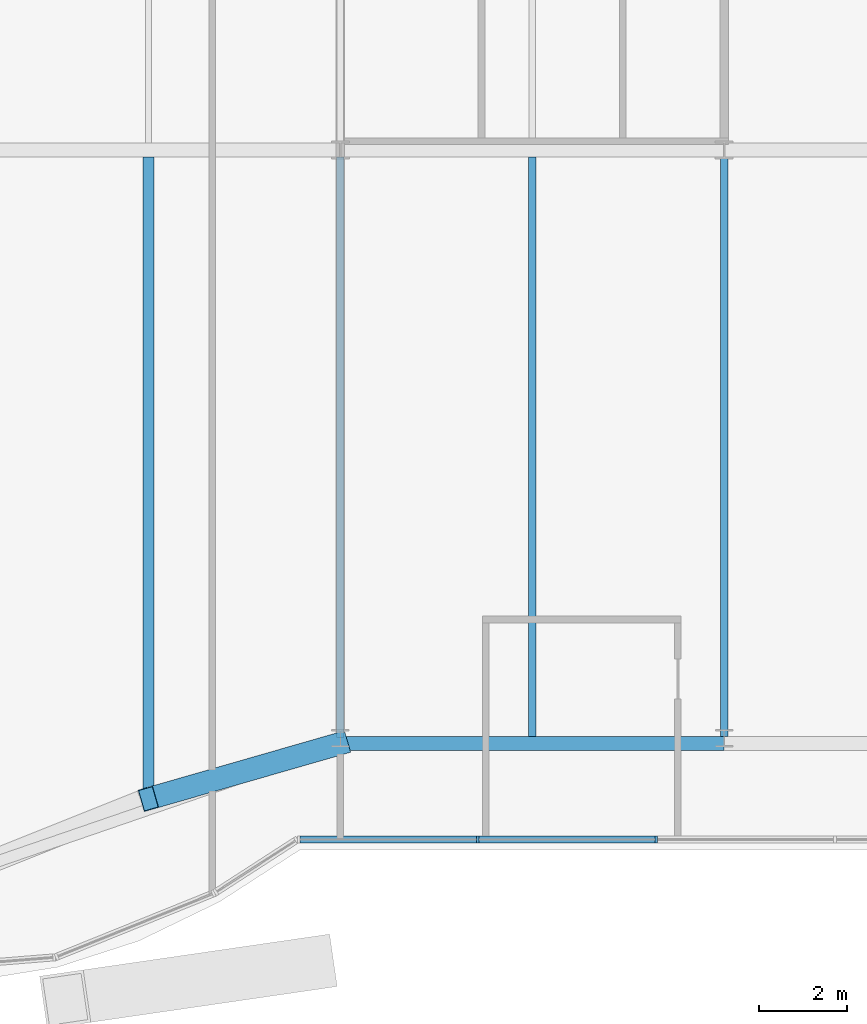
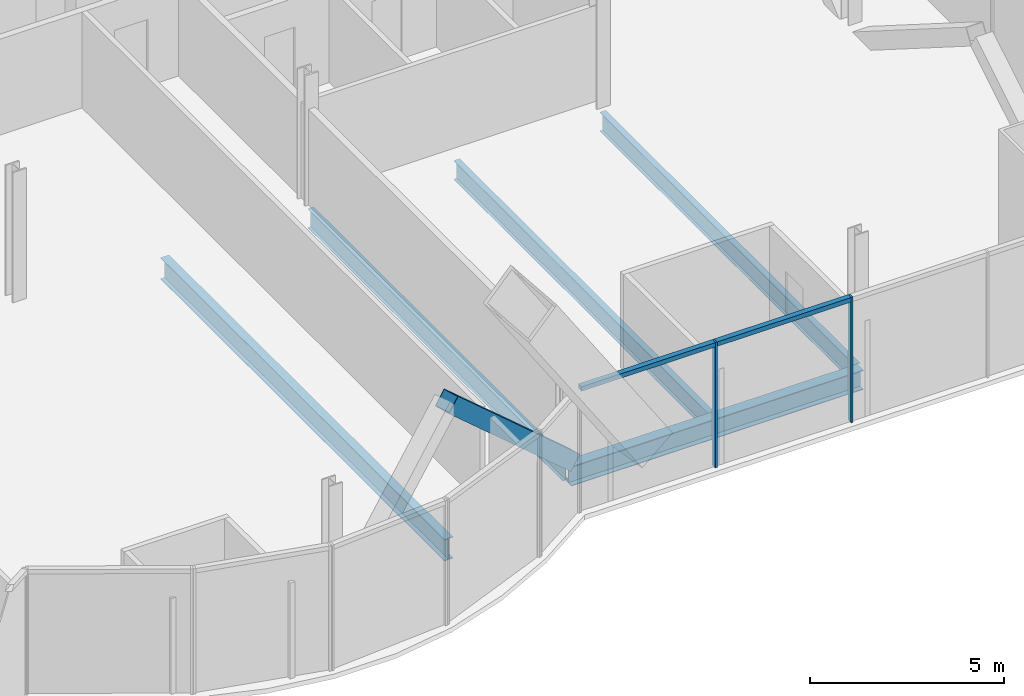
# One storey, part 9 of 23: 5 beams, 5 members, 1 element without a shape of its own.
"""IFC4 building model written with IfcOpenShell, lengths in metres."""

from ifc_helpers import new_model, si_unit, direction, frame, origin, origin_2d, place, context, subcontext, project, spatial, rectangle, hollow_rectangle, i_section, extrude, material, material_profile, profile_set, type_object, element, aggregate, save


model = new_model("IFC4")

# Units and contexts
model_context = context("Model", 3, precision=1e-05, world=origin(), true_north=direction((0.0, 1.0)))
body_context = subcontext(model_context, "Body", "Model", "MODEL_VIEW")
ifc_project = project(units=[si_unit("LENGTHUNIT", "METRE"), si_unit("AREAUNIT", "SQUARE_METRE"), si_unit("VOLUMEUNIT", "CUBIC_METRE"), si_unit("PLANEANGLEUNIT", "RADIAN"), si_unit("MASSUNIT", "GRAM", prefix="KILO")], contexts=[model_context])

# Site, building, storey
site_placement = place(None, origin())
site = spatial("IfcSite", under=ifc_project, at=site_placement, CompositionType="ELEMENT")
building_placement = place(site_placement, origin())
building = spatial("IfcBuilding", under=site, at=building_placement, Name="Bicima Exchange Tower", CompositionType="ELEMENT")
storey_placement = place(building_placement, frame((0.0, 0.0, 110.39990234375)))
storey = spatial("IfcBuildingStorey", under=building, at=storey_placement, Name="L23", CompositionType="ELEMENT", Elevation=110.39990234375)

# Beams
ifc_material_1 = material(Name="Steel ASTM A992 Gr 50", Category="steel")
ifc_material_profile_1 = material_profile(ifc_material_1, i_section(OverallWidth=0.177978515625, OverallDepth=0.599365234375, WebThickness=0.010009765625, FlangeThickness=0.012939453125, at=origin_2d()))
ifc_profile_set_1 = profile_set([ifc_material_profile_1], Name="Steel ASTM A992 Gr 50")
beam_type_1 = type_object("IfcBeamType", Name="Floor beam W24x55", PredefinedType="JOIST", material=ifc_profile_set_1)
beam_1_placement = place(storey_placement, frame((17.39990234375, -22.16259765625, -0.44970703125), z_axis=(0.0, -1.0, 0.0), x_axis=(1.0, 0.0, 0.0)))
element("IfcBeam", 1, at=beam_1_placement, inside=storey, type_object=beam_type_1, Name="Floor beam", PredefinedType="JOIST", context=body_context, shape_type="SweptSolid", body=[
    extrude(i_section(OverallWidth=0.177978515625, OverallDepth=0.599365234375, WebThickness=0.010009765625, FlangeThickness=0.012939453125, at=origin_2d()), origin(), (0.0, 0.0, 1.0), 13.15380859375),
])
for number, where, z_axis, x_axis, name in (
    (2, (21.75, -22.16259765625, -0.44970703125), (0.0, -1.0, 0.0), (1.0, 0.0, 0.0), "Floor beam"),
    (3, (26.10009765625, -22.16259765625, -0.44970703125), (0.0, -1.0, 0.0), (1.0, 0.0, 0.0), "Floor beam"),
):
    element("IfcBeam", number, at=place(storey_placement, frame(where, z_axis=z_axis, x_axis=x_axis)), inside=storey, type_object=beam_type_1, Name=name, PredefinedType="JOIST", context=body_context, shape_type="SweptSolid", body=[
        extrude(i_section(OverallWidth=0.177978515625, OverallDepth=0.599365234375, WebThickness=0.010009765625, FlangeThickness=0.012939453125, at=origin_2d()), origin(), (0.0, 0.0, 1.0), 13.126708984375),
    ])
ifc_material_profile_2 = material_profile(ifc_material_1, i_section(OverallWidth=0.25390625, OverallDepth=0.67822265625, WebThickness=0.01171875, FlangeThickness=0.016357421875, at=origin_2d()))
ifc_profile_set_2 = profile_set([ifc_material_profile_2], Name="Steel ASTM A992 Gr 50")
beam_type_2 = type_object("IfcBeamType", Name="Floor beam W27x84", PredefinedType="JOIST", material=ifc_profile_set_2)
beam_2_placement = place(storey_placement, frame((13.050048828125, -22.16259765625, -0.489013671875), z_axis=(0.0, -1.0, 0.0), x_axis=(1.0, 0.0, 0.0)))
element("IfcBeam", 4, at=beam_2_placement, inside=storey, type_object=beam_type_2, Name="Floor beam", PredefinedType="JOIST", context=body_context, shape_type="SweptSolid", body=[
    extrude(i_section(OverallWidth=0.25390625, OverallDepth=0.67822265625, WebThickness=0.01171875, FlangeThickness=0.016357421875, at=origin_2d()), origin(), (0.0, 0.0, 1.0), 14.6494140625),
])
ifc_material_profile_3 = material_profile(ifc_material_1, i_section(OverallWidth=0.3251953125, OverallDepth=0.612060546875, WebThickness=0.0126953125, FlangeThickness=0.01904296875, at=origin_2d()))
ifc_profile_set_3 = profile_set([ifc_material_profile_3], Name="Steel ASTM A992 Gr 50")
beam_type_3 = type_object("IfcBeamType", Name="Front girder W24x104", PredefinedType="BEAM", material=ifc_profile_set_3)
beam_3_placement = place(storey_placement, frame((17.39990234375, -35.451904296875, -0.4560546875), z_axis=(1.0, 0.0, 0.0), x_axis=(0.0, 1.0, 0.0)))
element("IfcBeam", 5, at=beam_3_placement, inside=storey, type_object=beam_type_3, Name="Front girder", PredefinedType="BEAM", context=body_context, shape_type="SweptSolid", body=[
    extrude(i_section(OverallWidth=0.3251953125, OverallDepth=0.612060546875, WebThickness=0.0126953125, FlangeThickness=0.01904296875, at=origin_2d()), origin(), (0.0, 0.0, 1.0), 8.7001953125),
])

# Curtain wall, members
ifc_material_2 = material(Name="Anodised bronze aluminium", Category="aluminium")
curtain_wall_type = type_object("IfcCurtainWallType", Name="Front glass wall", PredefinedType="NOTDEFINED", material=ifc_material_2)
curtain_wall_placement = place(storey_placement, origin())
curtain_wall = element("IfcCurtainWall", 6, at=curtain_wall_placement, inside=storey, type_object=curtain_wall_type, Name="Front glass wall L23 run 16", PredefinedType="NOTDEFINED")
ifc_material_profile_4 = material_profile(ifc_material_2, rectangle(XDim=0.159912109375, YDim=0.06005859375, at=origin_2d()))
ifc_profile_set_4 = profile_set([ifc_material_profile_4], Name="Anodised bronze aluminium")
member_type_1 = type_object("IfcMemberType", Name="Front glass wall mullion 60 x 160", PredefinedType="MULLION", material=ifc_profile_set_4)
member_1_placement = place(storey_placement, frame((20.51171875, -37.6220703125, 0.0), z_axis=(0.0, 0.0, 1.0), x_axis=(0.0, 1.0, 0.0)))
member_1 = element("IfcMember", 7, at=member_1_placement, type_object=member_type_1, Name="Front glass wall mullion 2", PredefinedType="MULLION", context=body_context, shape_type="SweptSolid", body=[
    extrude(rectangle(XDim=0.159912109375, YDim=0.06005859375, at=origin_2d()), origin(), (0.0, 0.0, 1.0), 3.9501953125),
])
member_2_placement = place(storey_placement, frame((24.56103515625, -37.6220703125, 0.0), z_axis=(0.0, 0.0, 1.0), x_axis=(0.0, 1.0, 0.0)))
member_2 = element("IfcMember", 8, at=member_2_placement, type_object=member_type_1, Name="Front glass wall mullion 3", PredefinedType="MULLION", context=body_context, shape_type="SweptSolid", body=[
    extrude(rectangle(XDim=0.159912109375, YDim=0.06005859375, at=origin_2d()), origin(), (0.0, 0.0, 1.0), 3.9501953125),
])
ifc_material_profile_5 = material_profile(ifc_material_2, rectangle(XDim=0.159912109375, YDim=0.139892578125, at=origin_2d()))
ifc_profile_set_5 = profile_set([ifc_material_profile_5], Name="Anodised bronze aluminium")
member_type_2 = type_object("IfcMemberType", Name="Front glass wall transom 140 x 160", PredefinedType="USERDEFINED", material=ifc_profile_set_5)
member_3_placement = place(storey_placement, frame((16.4921875, -37.6220703125, 3.880126953125), z_axis=(1.0, 0.0, 0.0), x_axis=(0.0, 1.0, 0.0)))
member_3 = element("IfcMember", 9, at=member_3_placement, type_object=member_type_2, Name="Front glass wall transom 1.1", ObjectType="TRANSOM", PredefinedType="USERDEFINED", context=body_context, shape_type="SweptSolid", body=[
    extrude(rectangle(XDim=0.159912109375, YDim=0.139892578125, at=origin_2d()), origin(), (0.0, 0.0, 1.0), 3.989501953125),
])
member_4_placement = place(storey_placement, frame((20.54150390625, -37.6220703125, 3.880126953125), z_axis=(1.0, 0.0, 0.0), x_axis=(0.0, 1.0, 0.0)))
member_4 = element("IfcMember", 10, at=member_4_placement, type_object=member_type_2, Name="Front glass wall transom 2.1", ObjectType="TRANSOM", PredefinedType="USERDEFINED", context=body_context, shape_type="SweptSolid", body=[
    extrude(rectangle(XDim=0.159912109375, YDim=0.139892578125, at=origin_2d()), origin(), (0.0, 0.0, 1.0), 3.989501953125),
])
aggregate(curtain_wall, [member_1, member_2, member_3, member_4])

# Member
ifc_material_3 = material(Name="Steel ASTM A572 Gr 50", Category="steel")
ifc_material_profile_6 = material_profile(ifc_material_3, hollow_rectangle(XDim=0.508056640625, YDim=0.508056640625, WallThickness=0.0146484375, at=origin_2d()))
ifc_profile_set_6 = profile_set([ifc_material_profile_6], Name="Steel ASTM A572 Gr 50")
member_type_3 = type_object("IfcMemberType", Name="Mega brace HSS20x20x5/8", PredefinedType="BRACE", material=ifc_profile_set_6)
member_5_placement = place(storey_placement, frame((17.39990234375, -35.451904296875, 0.0), z_axis=(-0.712241363619, -0.204953778485, 0.671346548836), x_axis=(0.276537209588, -0.961003211084, 0.0)))
element("IfcMember", 11, at=member_5_placement, inside=storey, type_object=member_type_3, Name="Mega brace front", PredefinedType="BRACE", context=body_context, shape_type="SweptSolid", body=[
    extrude(hollow_rectangle(XDim=0.508056640625, YDim=0.508056640625, WallThickness=0.0146484375, at=origin_2d()), origin(), (0.0, 0.0, 1.0), 6.107177734375),
])

save(model, "model.ifc")
